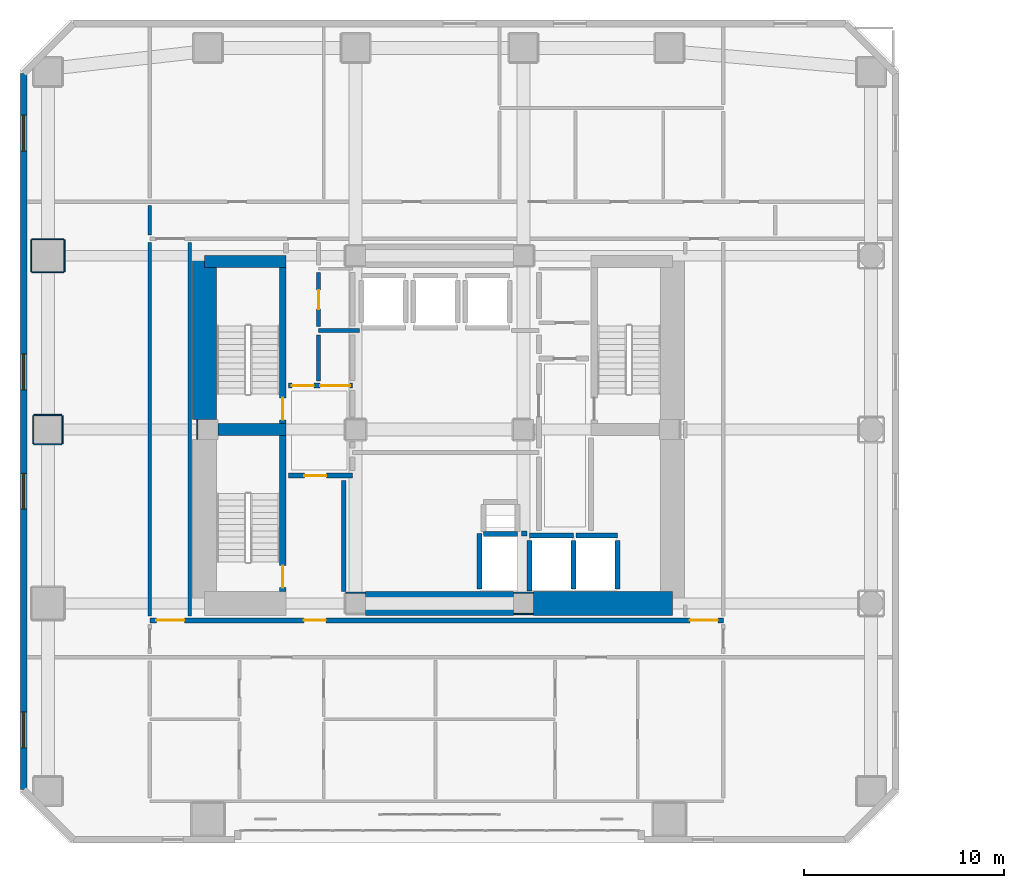
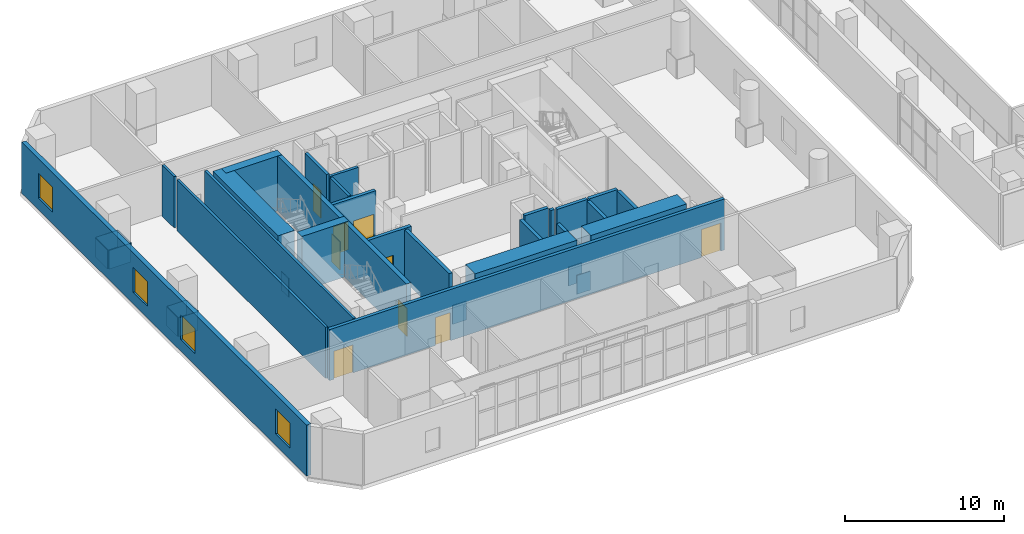
# One storey, part 16 of 24: 38 walls, 9 doors, 4 windows, 13 openings.
"""IFC4 building model written with IfcOpenShell, lengths in metres."""

from ifc_helpers import new_model, si_unit, direction, frame, frame_2d, origin, place, context, subcontext, project, spatial, rectangle, extrude, material, layer, layer_set, type_object, element, fill, save


model = new_model("IFC4")

# Units and contexts
model_context = context("Model", 3, precision=1e-05, world=origin(), true_north=direction((0.0, 1.0)))
body_context = subcontext(model_context, "Body", "Model", "MODEL_VIEW")
ifc_project = project(units=[si_unit("LENGTHUNIT", "METRE"), si_unit("AREAUNIT", "SQUARE_METRE"), si_unit("VOLUMEUNIT", "CUBIC_METRE"), si_unit("PLANEANGLEUNIT", "RADIAN"), si_unit("MASSUNIT", "GRAM", prefix="KILO")], contexts=[model_context])

# Site, building, storey
site_placement = place(None, origin())
site = spatial("IfcSite", under=ifc_project, at=site_placement, CompositionType="ELEMENT")
building_placement = place(site_placement, origin())
building = spatial("IfcBuilding", under=site, at=building_placement, Name="Solanera Arch Residences", CompositionType="ELEMENT")
storey_placement = place(building_placement, frame((0.0, 0.0, 5.199951171875)))
storey = spatial("IfcBuildingStorey", under=building, at=storey_placement, Name="L01", CompositionType="ELEMENT", Elevation=5.199951171875)

# Walls
ifc_material_1 = material(Name="Fire-Rated Gypsum Stud Partition", Category="gypsum")
ifc_layer_1 = layer(ifc_material_1, 0.06005859375)
ifc_layer_set_1 = layer_set([ifc_layer_1], Name="Fire-Rated Gypsum Stud Partition")
wall_type_1 = type_object("IfcWallType", Name="Column Acoustic Furring Wall 60", PredefinedType="PARTITIONING", material=ifc_layer_set_1)
wall_1_placement = place(storey_placement, frame((20.300048828125, 22.531982421875, 0.0), z_axis=(0.0, 0.0, 1.0), x_axis=(1.0, 0.0, 0.0)))
element("IfcWall", 1, at=wall_1_placement, inside=storey, type_object=wall_type_1, Name="L01 Column Furring 1N", PredefinedType="PARTITIONING", context=body_context, shape_type="SweptSolid", body=[
    extrude(rectangle(XDim=0.989990234375, YDim=0.06005859375, at=frame_2d((0.4951171875, 0.0))), origin(), (0.0, 0.0, 1.0), 1.449951171875),
])
for number, where, z_axis, x_axis, name in (
    (2, (28.7099609375, 21.468017578125, 0.0), (0.0, 0.0, 1.0), (1.0, 0.0, 0.0), "L01 Column Furring 2S"),
    (3, (28.7099609375, 22.531982421875, 0.0), (0.0, 0.0, 1.0), (1.0, 0.0, 0.0), "L01 Column Furring 2N"),
    (4, (12.867919921875, 30.2099609375, 0.0), (0.0, 0.0, 1.0), (0.0, 1.0, 0.0), "L01 Column Furring 5W"),
):
    element("IfcWall", number, at=place(storey_placement, frame(where, z_axis=z_axis, x_axis=x_axis)), inside=storey, type_object=wall_type_1, Name=name, PredefinedType="PARTITIONING", context=body_context, shape_type="SweptSolid", body=[
        extrude(rectangle(XDim=0.97998046875, YDim=0.06005859375, at=frame_2d((0.489990234375, 0.0))), origin(), (0.0, 0.0, 1.0), 1.449951171875),
    ])
for number, where, z_axis, x_axis, name in (
    (5, (4.699951171875, 29.968017578125, 0.0), (0.0, 0.0, 1.0), (1.0, 0.0, 0.0), "L01 Column Furring 16S"),
    (6, (4.699951171875, 31.431884765625, 0.0), (0.0, 0.0, 1.0), (1.0, 0.0, 0.0), "L01 Column Furring 16N"),
):
    element("IfcWall", number, at=place(storey_placement, frame(where, z_axis=z_axis, x_axis=x_axis)), inside=storey, type_object=wall_type_1, Name=name, PredefinedType="PARTITIONING", context=body_context, shape_type="SweptSolid", body=[
        extrude(rectangle(XDim=1.400146484375, YDim=0.06005859375, at=frame_2d((0.7001953125, 0.0))), origin(), (0.0, 0.0, 1.0), 1.449951171875),
    ])
for number, where, z_axis, x_axis, name in (
    (7, (4.66796875, 30.0, 0.0), (0.0, 0.0, 1.0), (0.0, 1.0, 0.0), "L01 Column Furring 16W"),
    (8, (6.132080078125, 30.0, 0.0), (0.0, 0.0, 1.0), (0.0, 1.0, 0.0), "L01 Column Furring 16E"),
):
    element("IfcWall", number, at=place(storey_placement, frame(where, z_axis=z_axis, x_axis=x_axis)), inside=storey, type_object=wall_type_1, Name=name, PredefinedType="PARTITIONING", context=body_context, shape_type="SweptSolid", body=[
        extrude(rectangle(XDim=1.39990234375, YDim=0.06005859375, at=frame_2d((0.699951171875, 0.0))), origin(), (0.0, 0.0, 1.0), 1.449951171875),
    ])
for number, where, z_axis, x_axis, name in (
    (9, (4.60009765625, 38.568115234375, 0.0), (0.0, 0.0, 1.0), (1.0, 0.0, 0.0), "L01 Column Furring 17S"),
    (10, (4.60009765625, 40.23193359375, 0.0), (0.0, 0.0, 1.0), (1.0, 0.0, 0.0), "L01 Column Furring 17N"),
    (11, (4.568115234375, 38.60009765625, 0.0), (0.0, 0.0, 1.0), (0.0, 1.0, 0.0), "L01 Column Furring 17W"),
    (12, (6.23193359375, 38.60009765625, 0.0), (0.0, 0.0, 1.0), (0.0, 1.0, 0.0), "L01 Column Furring 17E"),
):
    element("IfcWall", number, at=place(storey_placement, frame(where, z_axis=z_axis, x_axis=x_axis)), inside=storey, type_object=wall_type_1, Name=name, PredefinedType="PARTITIONING", context=body_context, shape_type="SweptSolid", body=[
        extrude(rectangle(XDim=1.599853515625, YDim=0.06005859375, at=frame_2d((0.7998046875, 0.0))), origin(), (0.0, 0.0, 1.0), 1.449951171875),
    ])
ifc_material_2 = material(Name="Concrete C55/67 (f'c = 60 MPa)", Category="concrete")
ifc_layer_2 = layer(ifc_material_2, 1.199951171875)
ifc_layer_set_2 = layer_set([ifc_layer_2], Name="Concrete C55/67 (f'c = 60 MPa)")
wall_type_2 = type_object("IfcWallType", Name="Core Shear Wall CW-1200", PredefinedType="SHEAR", material=ifc_layer_set_2)
wall_2_placement = place(storey_placement, frame((13.239990234375, 31.205078125, 0.0), z_axis=(0.0, 0.0, 1.0), x_axis=(0.0, 1.0, 0.0)))
element("IfcWall", 13, at=wall_2_placement, inside=storey, type_object=wall_type_2, Name="L01 West Core North Shear Wall", PredefinedType="SHEAR", context=body_context, shape_type="SweptSolid", body=[
    extrude(rectangle(XDim=8.19482421875, YDim=1.199951171875, at=frame_2d((4.097412109375, 0.0))), origin(), (0.0, 0.0, 1.0), 4.199951171875),
])
wall_3_placement = place(storey_placement, frame((29.705078125, 22.0, 0.0), z_axis=(0.0, 0.0, 1.0), x_axis=(1.0, 0.0, 0.0)))
element("IfcWall", 14, at=wall_3_placement, inside=storey, type_object=wall_type_2, Name="L01 South-East Core Shear Wall", PredefinedType="SHEAR", context=body_context, shape_type="SweptSolid", body=[
    extrude(rectangle(XDim=6.954833984375, YDim=1.199951171875, at=frame_2d((3.4775390625, 0.0))), origin(), (0.0, 0.0, 1.0), 4.199951171875),
])
wall_4_placement = place(storey_placement, frame((21.304931640625, 22.0, 0.0), z_axis=(0.0, 0.0, 1.0), x_axis=(1.0, 0.0, 0.0)))
element("IfcWall", 15, at=wall_4_placement, inside=storey, type_object=wall_type_2, Name="L01 Central South Core Shear Wall", PredefinedType="SHEAR", context=body_context, shape_type="SweptSolid", body=[
    extrude(rectangle(XDim=7.39013671875, YDim=1.199951171875, at=frame_2d((3.695068359375, 0.0))), origin(), (0.0, 0.0, 1.0), 4.199951171875),
])

# Wall, opening, door
ifc_material_3 = material(Name="Concrete C40/50 (f'c = 45 MPa)", Category="concrete")
ifc_layer_3 = layer(ifc_material_3, 0.320068359375)
ifc_layer_set_3 = layer_set([ifc_layer_3], Name="Concrete C40/50 (f'c = 45 MPa)")
wall_type_3 = type_object("IfcWallType", Name="Core Shear Wall CW-320", PredefinedType="SHEAR", material=ifc_layer_set_3)
wall_5_placement = place(storey_placement, frame((17.159912109375, 31.0, 0.0), z_axis=(0.0, 0.0, 1.0), x_axis=(0.0, 1.0, 0.0)))
wall_5 = element("IfcWall", 16, at=wall_5_placement, inside=storey, type_object=wall_type_3, Name="L01 Stair ST-T1 East Shear Wall", PredefinedType="SHEAR", context=body_context, shape_type="SweptSolid", body=[
    extrude(rectangle(XDim=7.800048828125, YDim=0.320068359375, at=frame_2d((3.89990234375, 0.0))), origin(), (0.0, 0.0, 1.0), 4.199951171875),
])
opening_1_placement = place(wall_5_placement, frame((0.18994140625, 0.0, 0.0)))
opening_1 = element("IfcOpeningElement", 17, at=opening_1_placement, cuts=wall_5, Name="Opening DF-01", PredefinedType="OPENING", context=body_context, shape_type="SweptSolid", body=[
    extrude(rectangle(XDim=1.10009765625, YDim=2.14990234375, at=frame_2d((0.550048828125, 1.074951171875))), frame((0.0, 0.169921875, 0.0), z_axis=(0.0, -1.0, 0.0), x_axis=(1.0, 0.0, 0.0)), (0.0, 0.0, 1.0), 0.3401),
])
ifc_material_4 = material(Name="Fire-Rated Architectural Hardwood", Category="wood")
door_type_1 = type_object("IfcDoorType", Name="Stair Exit Fire Door DF-01", OperationType="NOTDEFINED", PredefinedType="DOOR", material=ifc_material_4)
door_1_placement = place(opening_1_placement, origin())
door_1 = element("IfcDoor", 18, at=door_1_placement, inside=storey, type_object=door_type_1, Name="DR-L01-STAIR-ST-T1", OperationType="SINGLE_SWING_RIGHT", OverallHeight=2.14990234375, OverallWidth=1.10009765625, PredefinedType="DOOR", context=body_context, shape_type="SweptSolid", body=[
    extrude(rectangle(XDim=1.10009765625, YDim=2.14990234375, at=frame_2d((0.550048828125, 1.074951171875))), frame((0.0, 0.02490234375, 0.0), z_axis=(0.0, -1.0, 0.0), x_axis=(1.0, 0.0, 0.0)), (0.0, 0.0, 1.0), 0.050048828125),
])
fill(opening_1, door_1)

wall_6_placement = place(storey_placement, frame((17.159912109375, 22.60009765625, 0.0), z_axis=(0.0, 0.0, 1.0), x_axis=(0.0, 1.0, 0.0)))
wall_6 = element("IfcWall", 19, at=wall_6_placement, inside=storey, type_object=wall_type_3, Name="L01 Stair ST-T3 East Shear Wall", PredefinedType="SHEAR", context=body_context, shape_type="SweptSolid", body=[
    extrude(rectangle(XDim=7.7998046875, YDim=0.320068359375, at=frame_2d((3.89990234375, 0.0))), origin(), (0.0, 0.0, 1.0), 4.199951171875),
])
opening_2_placement = place(wall_6_placement, frame((0.18994140625, 0.0, 0.0)))
opening_2 = element("IfcOpeningElement", 20, at=opening_2_placement, cuts=wall_6, Name="Opening DF-01", PredefinedType="OPENING", context=body_context, shape_type="SweptSolid", body=[
    extrude(rectangle(XDim=1.10009765625, YDim=2.14990234375, at=frame_2d((0.550048828125, 1.074951171875))), frame((0.0, 0.169921875, 0.0), z_axis=(0.0, -1.0, 0.0), x_axis=(1.0, 0.0, 0.0)), (0.0, 0.0, 1.0), 0.3401),
])
door_2_placement = place(opening_2_placement, origin())
door_2 = element("IfcDoor", 21, at=door_2_placement, inside=storey, type_object=door_type_1, Name="DR-L01-STAIR-ST-T3", OperationType="SINGLE_SWING_RIGHT", OverallHeight=2.14990234375, OverallWidth=1.10009765625, PredefinedType="DOOR", context=body_context, shape_type="SweptSolid", body=[
    extrude(rectangle(XDim=1.10009765625, YDim=2.14990234375, at=frame_2d((0.550048828125, 1.074951171875))), frame((0.0, 0.02490234375, 0.0), z_axis=(0.0, -1.0, 0.0), x_axis=(1.0, 0.0, 0.0)), (0.0, 0.0, 1.0), 0.050048828125),
])
fill(opening_2, door_2)

# Walls
ifc_material_5 = material(Name="Concrete C40/50 (f'c = 45 MPa)", Category="concrete")
ifc_layer_4 = layer(ifc_material_5, 0.60009765625)
ifc_layer_set_4 = layer_set([ifc_layer_4], Name="Concrete C40/50 (f'c = 45 MPa)")
wall_type_4 = type_object("IfcWallType", Name="Core Shear Wall CW-600", PredefinedType="SHEAR", material=ifc_layer_set_4)
wall_7_placement = place(storey_placement, frame((13.239990234375, 39.10009765625, 0.0), z_axis=(0.0, 0.0, 1.0), x_axis=(1.0, 0.0, 0.0)))
element("IfcWall", 22, at=wall_7_placement, inside=storey, type_object=wall_type_4, Name="L01 North-West Core Shear Wall", PredefinedType="SHEAR", context=body_context, shape_type="SweptSolid", body=[
    extrude(rectangle(XDim=4.080078125, YDim=0.60009765625, at=frame_2d((2.0400390625, 0.0))), origin(), (0.0, 0.0, 1.0), 4.199951171875),
])
wall_8_placement = place(storey_placement, frame((13.905029296875, 30.699951171875, 0.0), z_axis=(0.0, 0.0, 1.0), x_axis=(1.0, 0.0, 0.0)))
element("IfcWall", 23, at=wall_8_placement, inside=storey, type_object=wall_type_4, Name="L01 West Stair Divider Shear Wall", PredefinedType="SHEAR", context=body_context, shape_type="SweptSolid", body=[
    extrude(rectangle(XDim=3.4150390625, YDim=0.60009765625, at=frame_2d((1.70751953125, 0.0))), origin(), (0.0, 0.0, 1.0), 4.199951171875),
])
ifc_material_6 = material(Name="Autoclaved Aerated Concrete Blockwork", Category="masonry")
ifc_layer_5 = layer(ifc_material_6, 0.179931640625)
ifc_layer_set_5 = layer_set([ifc_layer_5], Name="Autoclaved Aerated Concrete Blockwork")
wall_type_5 = type_object("IfcWallType", Name="Corridor Fire Partition 180", PredefinedType="PARTITIONING", material=ifc_layer_set_5)
wall_9_placement = place(storey_placement, frame((10.5, 21.367919921875, 0.0), z_axis=(0.0, 0.0, 1.0), x_axis=(0.0, 1.0, 0.0)))
element("IfcWall", 24, at=wall_9_placement, inside=storey, type_object=wall_type_5, Name="L01 Interior Partition V7 4", PredefinedType="PARTITIONING", context=body_context, shape_type="SweptSolid", body=[
    extrude(rectangle(XDim=18.694091796875, YDim=0.179931640625, at=frame_2d((9.34716796875, 0.0))), origin(), (0.0, 0.0, 1.0), 3.920166015625),
])
wall_10_placement = place(storey_placement, frame((10.5, 40.43798828125, 0.0), z_axis=(0.0, 0.0, 1.0), x_axis=(0.0, 1.0, 0.0)))
element("IfcWall", 25, at=wall_10_placement, inside=storey, type_object=wall_type_5, Name="L01 Interior Partition V7 5", PredefinedType="PARTITIONING", context=body_context, shape_type="SweptSolid", body=[
    extrude(rectangle(XDim=1.47412109375, YDim=0.179931640625, at=frame_2d((0.737060546875, 0.0))), origin(), (0.0, 0.0, 1.0), 3.920166015625),
])
wall_11_placement = place(storey_placement, frame((12.5, 21.367919921875, 0.0), z_axis=(0.0, 0.0, 1.0), x_axis=(0.0, 1.0, 0.0)))
element("IfcWall", 26, at=wall_11_placement, inside=storey, type_object=wall_type_5, Name="L01 Interior Partition V8", PredefinedType="PARTITIONING", context=body_context, shape_type="SweptSolid", body=[
    extrude(rectangle(XDim=18.694091796875, YDim=0.179931640625, at=frame_2d((9.34716796875, 0.0))), origin(), (0.0, 0.0, 1.0), 3.920166015625),
])

# Wall, openings, windows
ifc_material_7 = material(Name="Precast Concrete C35/45", Category="concrete")
ifc_layer_6 = layer(ifc_material_7, 0.320068359375)
ifc_layer_set_6 = layer_set([ifc_layer_6], Name="Precast Concrete C35/45")
wall_type_6 = type_object("IfcWallType", Name="Exterior Wall Precast Masonry-Frame 320", PredefinedType="STANDARD", material=ifc_layer_set_6)
wall_12_placement = place(storey_placement, frame((4.179931640625, 12.679931640625, 0.0), z_axis=(0.0, 0.0, 1.0), x_axis=(0.0, 1.0, 0.0)))
wall_12 = element("IfcWall", 27, at=wall_12_placement, inside=storey, type_object=wall_type_6, Name="L01 Podium Precast Masonry-Frame Wall 1", PredefinedType="STANDARD", context=body_context, shape_type="SweptSolid", body=[
    extrude(rectangle(XDim=35.840087890625, YDim=0.320068359375, at=frame_2d((17.919921875, 0.0))), origin(), (0.0, 0.0, 1.0), 3.920166015625),
])
opening_3_placement = place(wall_12_placement, frame((2.0869140625, 0.0, 0.89990234375)))
opening_3 = element("IfcOpeningElement", 28, at=opening_3_placement, cuts=wall_12, Name="Opening W-03", PredefinedType="OPENING", context=body_context, shape_type="SweptSolid", body=[
    extrude(rectangle(XDim=1.800048828125, YDim=1.89990234375, at=frame_2d((0.89990234375, 0.949951171875))), frame((0.0, 0.169921875, 0.0), z_axis=(0.0, -1.0, 0.0), x_axis=(1.0, 0.0, 0.0)), (0.0, 0.0, 1.0), 0.3401),
])
opening_4_placement = place(wall_12_placement, frame((14.032958984375, 0.0, 0.89990234375)))
opening_4 = element("IfcOpeningElement", 29, at=opening_4_placement, cuts=wall_12, Name="Opening W-03", PredefinedType="OPENING", context=body_context, shape_type="SweptSolid", body=[
    extrude(rectangle(XDim=1.800048828125, YDim=1.89990234375, at=frame_2d((0.89990234375, 0.949951171875))), frame((0.0, 0.169921875, 0.0), z_axis=(0.0, -1.0, 0.0), x_axis=(1.0, 0.0, 0.0)), (0.0, 0.0, 1.0), 0.3401),
])
opening_5_placement = place(wall_12_placement, frame((20.007080078125, 0.0, 0.89990234375)))
opening_5 = element("IfcOpeningElement", 30, at=opening_5_placement, cuts=wall_12, Name="Opening W-03", PredefinedType="OPENING", context=body_context, shape_type="SweptSolid", body=[
    extrude(rectangle(XDim=1.800048828125, YDim=1.89990234375, at=frame_2d((0.89990234375, 0.949951171875))), frame((0.0, 0.169921875, 0.0), z_axis=(0.0, -1.0, 0.0), x_axis=(1.0, 0.0, 0.0)), (0.0, 0.0, 1.0), 0.3401),
])
opening_6_placement = place(wall_12_placement, frame((31.952880859375, 0.0, 0.89990234375)))
opening_6 = element("IfcOpeningElement", 31, at=opening_6_placement, cuts=wall_12, Name="Opening W-03", PredefinedType="OPENING", context=body_context, shape_type="SweptSolid", body=[
    extrude(rectangle(XDim=1.800048828125, YDim=1.89990234375, at=frame_2d((0.89990234375, 0.949951171875))), frame((0.0, 0.169921875, 0.0), z_axis=(0.0, -1.0, 0.0), x_axis=(1.0, 0.0, 0.0)), (0.0, 0.0, 1.0), 0.3401),
])
ifc_material_8 = material(Name="Double Glazed Low-E Laminated Glass", Category="glass")
window_type = type_object("IfcWindowType", Name="Punched Window W-03", PartitioningType="DOUBLE_PANEL_VERTICAL", PredefinedType="WINDOW", material=ifc_material_8)
window_1_placement = place(opening_3_placement, origin())
window_1 = element("IfcWindow", 32, at=window_1_placement, inside=storey, type_object=window_type, Name="L01 Podium Window 1.1", OverallHeight=1.89990234375, OverallWidth=1.800048828125, PartitioningType="SINGLE_PANEL", PredefinedType="WINDOW", context=body_context, shape_type="SweptSolid", body=[
    extrude(rectangle(XDim=1.800048828125, YDim=1.89990234375, at=frame_2d((0.89990234375, 0.949951171875))), frame((0.0, 0.030029296875, 0.0), z_axis=(0.0, -1.0, 0.0), x_axis=(1.0, 0.0, 0.0)), (0.0, 0.0, 1.0), 0.06005859375),
])
fill(opening_3, window_1)
window_2_placement = place(opening_4_placement, origin())
window_2 = element("IfcWindow", 33, at=window_2_placement, inside=storey, type_object=window_type, Name="L01 Podium Window 1.3", OverallHeight=1.89990234375, OverallWidth=1.800048828125, PartitioningType="SINGLE_PANEL", PredefinedType="WINDOW", context=body_context, shape_type="SweptSolid", body=[
    extrude(rectangle(XDim=1.800048828125, YDim=1.89990234375, at=frame_2d((0.89990234375, 0.949951171875))), frame((0.0, 0.030029296875, 0.0), z_axis=(0.0, -1.0, 0.0), x_axis=(1.0, 0.0, 0.0)), (0.0, 0.0, 1.0), 0.06005859375),
])
fill(opening_4, window_2)
window_3_placement = place(opening_5_placement, origin())
window_3 = element("IfcWindow", 34, at=window_3_placement, inside=storey, type_object=window_type, Name="L01 Podium Window 1.4", OverallHeight=1.89990234375, OverallWidth=1.800048828125, PartitioningType="SINGLE_PANEL", PredefinedType="WINDOW", context=body_context, shape_type="SweptSolid", body=[
    extrude(rectangle(XDim=1.800048828125, YDim=1.89990234375, at=frame_2d((0.89990234375, 0.949951171875))), frame((0.0, 0.030029296875, 0.0), z_axis=(0.0, -1.0, 0.0), x_axis=(1.0, 0.0, 0.0)), (0.0, 0.0, 1.0), 0.06005859375),
])
fill(opening_5, window_3)
window_4_placement = place(opening_6_placement, origin())
window_4 = element("IfcWindow", 35, at=window_4_placement, inside=storey, type_object=window_type, Name="L01 Podium Window 1.6", OverallHeight=1.89990234375, OverallWidth=1.800048828125, PartitioningType="SINGLE_PANEL", PredefinedType="WINDOW", context=body_context, shape_type="SweptSolid", body=[
    extrude(rectangle(XDim=1.800048828125, YDim=1.89990234375, at=frame_2d((0.89990234375, 0.949951171875))), frame((0.0, 0.030029296875, 0.0), z_axis=(0.0, -1.0, 0.0), x_axis=(1.0, 0.0, 0.0)), (0.0, 0.0, 1.0), 0.06005859375),
])
fill(opening_6, window_4)

# Walls
ifc_material_9 = material(Name="Autoclaved Aerated Concrete Blockwork", Category="masonry")
ifc_layer_7 = layer(ifc_material_9, 0.199951171875)
ifc_layer_set_7 = layer_set([ifc_layer_7], Name="Autoclaved Aerated Concrete Blockwork")
wall_type_7 = type_object("IfcWallType", Name="Party Wall Acoustic 200", PredefinedType="PARTITIONING", material=ifc_layer_set_7)
wall_13_placement = place(storey_placement, frame((18.949951171875, 35.64990234375, 0.0), z_axis=(0.0, 0.0, 1.0), x_axis=(1.0, 0.0, 0.0)))
element("IfcWall", 36, at=wall_13_placement, inside=storey, type_object=wall_type_7, Name="L01 Interior Partition H6 1", PredefinedType="PARTITIONING", context=body_context, shape_type="SweptSolid", body=[
    extrude(rectangle(XDim=2.046142578125, YDim=0.199951171875, at=frame_2d((1.02294921875, 0.0))), origin(), (0.0, 0.0, 1.0), 3.920166015625),
])
wall_14_placement = place(storey_placement, frame((18.949951171875, 33.1279296875, 0.0), z_axis=(0.0, 0.0, 1.0), x_axis=(0.0, 1.0, 0.0)))
element("IfcWall", 37, at=wall_14_placement, inside=storey, type_object=wall_type_7, Name="L01 Interior Partition V6 1", PredefinedType="PARTITIONING", context=body_context, shape_type="SweptSolid", body=[
    extrude(rectangle(XDim=2.31396484375, YDim=0.199951171875, at=frame_2d((1.156982421875, 0.0))), origin(), (0.0, 0.0, 1.0), 3.920166015625),
])

# Wall, opening, door
wall_15_placement = place(storey_placement, frame((18.949951171875, 35.85791015625, 0.0), z_axis=(0.0, 0.0, 1.0), x_axis=(0.0, 1.0, 0.0)))
wall_15 = element("IfcWall", 38, at=wall_15_placement, inside=storey, type_object=wall_type_7, Name="L01 Interior Partition V6 2", PredefinedType="PARTITIONING", context=body_context, shape_type="SweptSolid", body=[
    extrude(rectangle(XDim=2.714111328125, YDim=0.199951171875, at=frame_2d((1.35693359375, 0.0))), origin(), (0.0, 0.0, 1.0), 3.920166015625),
])
opening_7_placement = place(wall_15_placement, frame((0.866943359375, 0.0, 0.0)))
opening_7 = element("IfcOpeningElement", 39, at=opening_7_placement, cuts=wall_15, Name="Opening DI-04", PredefinedType="OPENING", context=body_context, shape_type="SweptSolid", body=[
    extrude(rectangle(XDim=0.949951171875, YDim=2.10009765625, at=frame_2d((0.47509765625, 1.050048828125))), frame((0.0, 0.110107421875, 0.0), z_axis=(0.0, -1.0, 0.0), x_axis=(1.0, 0.0, 0.0)), (0.0, 0.0, 1.0), 0.22),
])
ifc_material_10 = material(Name="Fire-Rated Architectural Hardwood", Category="wood")
door_type_2 = type_object("IfcDoorType", Name="Accessible Restroom Door DI-04", OperationType="NOTDEFINED", PredefinedType="DOOR", material=ifc_material_10)
door_3_placement = place(opening_7_placement, origin())
door_3 = element("IfcDoor", 40, at=door_3_placement, inside=storey, type_object=door_type_2, Name="DR-L01-IN-025", OperationType="SINGLE_SWING_RIGHT", OverallHeight=2.10009765625, OverallWidth=0.949951171875, PredefinedType="DOOR", context=body_context, shape_type="SweptSolid", body=[
    extrude(rectangle(XDim=0.949951171875, YDim=2.10009765625, at=frame_2d((0.47509765625, 1.050048828125))), frame((0.0, 0.02490234375, 0.0), z_axis=(0.0, -1.0, 0.0), x_axis=(1.0, 0.0, 0.0)), (0.0, 0.0, 1.0), 0.050048828125),
])
fill(opening_7, door_3)

# Walls
ifc_material_11 = material(Name="Concrete C40/50 (f'c = 45 MPa)", Category="concrete")
ifc_layer_8 = layer(ifc_material_11, 0.239990234375)
ifc_layer_set_8 = layer_set([ifc_layer_8], Name="Concrete C40/50 (f'c = 45 MPa)")
wall_type_8 = type_object("IfcWallType", Name="Ramp Bearing Shear Wall RW-240", PredefinedType="SHEAR", material=ifc_layer_set_8)
wall_16_placement = place(storey_placement, frame((27.199951171875, 25.47998046875, 0.0), z_axis=(0.0, 0.0, 1.0), x_axis=(1.0, 0.0, 0.0)))
element("IfcWall", 41, at=wall_16_placement, inside=storey, type_object=wall_type_8, Name="L01 Core MEP Riser South Shaft Wall", PredefinedType="SHEAR", context=body_context, shape_type="SweptSolid", body=[
    extrude(rectangle(XDim=1.699951171875, YDim=0.239990234375, at=frame_2d((0.85009765625, 0.0))), origin(), (0.0, 0.0, 1.0), 4.199951171875),
])
ifc_material_12 = material(Name="Autoclaved Aerated Concrete Blockwork", Category="masonry")
ifc_layer_9 = layer(ifc_material_12, 0.239990234375)
ifc_layer_set_9 = layer_set([ifc_layer_9], Name="Autoclaved Aerated Concrete Blockwork")
wall_type_9 = type_object("IfcWallType", Name="Shaft Wall Fire-Rated 240", PredefinedType="PARTITIONING", material=ifc_layer_set_9)
wall_17_placement = place(storey_placement, frame((29.5, 25.39990234375, 0.0), z_axis=(0.0, 0.0, 1.0), x_axis=(1.0, 0.0, 0.0)))
element("IfcWall", 42, at=wall_17_placement, inside=storey, type_object=wall_type_9, Name="L01 Lift FFL-1 Hoistway Wall N", PredefinedType="PARTITIONING", context=body_context, shape_type="SweptSolid", body=[
    extrude(rectangle(XDim=2.199951171875, YDim=0.239990234375, at=frame_2d((1.10009765625, 0.0))), origin(), (0.0, 0.0, 1.0), 3.920166015625),
])
wall_18_placement = place(storey_placement, frame((29.5, 22.632080078125, 0.0), z_axis=(0.0, 0.0, 1.0), x_axis=(0.0, 1.0, 0.0)))
element("IfcWall", 43, at=wall_18_placement, inside=storey, type_object=wall_type_9, Name="L01 Lift FFL-1 Hoistway Wall W", PredefinedType="PARTITIONING", context=body_context, shape_type="SweptSolid", body=[
    extrude(rectangle(XDim=2.52001953125, YDim=0.239990234375, at=frame_2d((1.260009765625, 0.0))), origin(), (0.0, 0.0, 1.0), 2.955078125),
])
wall_19_placement = place(storey_placement, frame((31.699951171875, 22.72998046875, 0.0), z_axis=(0.0, 0.0, 1.0), x_axis=(0.0, 1.0, 0.0)))
element("IfcWall", 44, at=wall_19_placement, inside=storey, type_object=wall_type_9, Name="L01 Lift FFL-1 Hoistway Wall E", PredefinedType="PARTITIONING", context=body_context, shape_type="SweptSolid", body=[
    extrude(rectangle(XDim=2.422119140625, YDim=0.239990234375, at=frame_2d((1.2109375, 0.0))), origin(), (0.0, 0.0, 1.0), 3.920166015625),
])
wall_20_placement = place(storey_placement, frame((31.827880859375, 25.39990234375, 0.0), z_axis=(0.0, 0.0, 1.0), x_axis=(1.0, 0.0, 0.0)))
element("IfcWall", 45, at=wall_20_placement, inside=storey, type_object=wall_type_9, Name="L01 Lift FFL-2 Hoistway Wall N", PredefinedType="PARTITIONING", context=body_context, shape_type="SweptSolid", body=[
    extrude(rectangle(XDim=2.072021484375, YDim=0.239990234375, at=frame_2d((1.0361328125, 0.0))), origin(), (0.0, 0.0, 1.0), 3.920166015625),
])
wall_21_placement = place(storey_placement, frame((33.89990234375, 22.72998046875, 0.0), z_axis=(0.0, 0.0, 1.0), x_axis=(0.0, 1.0, 0.0)))
element("IfcWall", 46, at=wall_21_placement, inside=storey, type_object=wall_type_9, Name="L01 Lift FFL-2 Hoistway Wall E", PredefinedType="PARTITIONING", context=body_context, shape_type="SweptSolid", body=[
    extrude(rectangle(XDim=2.422119140625, YDim=0.239990234375, at=frame_2d((1.2109375, 0.0))), origin(), (0.0, 0.0, 1.0), 3.920166015625),
])
wall_22_placement = place(storey_placement, frame((29.10302734375, 25.5, 0.0), z_axis=(0.0, 0.0, 1.0), x_axis=(1.0, 0.0, 0.0)))
element("IfcWall", 47, at=wall_22_placement, inside=storey, type_object=wall_type_9, Name="L01 Lift SVL-1 Hoistway Wall N", PredefinedType="PARTITIONING", context=body_context, shape_type="SweptSolid", body=[
    extrude(rectangle(XDim=0.26904296875, YDim=0.239990234375, at=frame_2d((0.134521484375, 0.0))), origin(), (0.0, 0.0, 1.0), 3.920166015625),
])
wall_23_placement = place(storey_placement, frame((27.0, 22.72998046875, 0.0), z_axis=(0.0, 0.0, 1.0), x_axis=(0.0, 1.0, 0.0)))
element("IfcWall", 48, at=wall_23_placement, inside=storey, type_object=wall_type_9, Name="L01 Lift SVL-1 Hoistway Wall W", PredefinedType="PARTITIONING", context=body_context, shape_type="SweptSolid", body=[
    extrude(rectangle(XDim=2.76806640625, YDim=0.239990234375, at=frame_2d((1.384033203125, 0.0))), origin(), (0.0, 0.0, 1.0), 3.920166015625),
])

# Wall, openings, doors
wall_24_placement = place(storey_placement, frame((10.5, 21.14990234375, 0.0), z_axis=(0.0, 0.0, 1.0), x_axis=(1.0, 0.0, 0.0)))
wall_24 = element("IfcWall", 49, at=wall_24_placement, inside=storey, type_object=wall_type_9, Name="L01 Interior Partition H1", PredefinedType="PARTITIONING", context=body_context, shape_type="SweptSolid", body=[
    extrude(rectangle(XDim=28.699951171875, YDim=0.239990234375, at=frame_2d((14.35009765625, 0.0))), origin(), (0.0, 0.0, 1.0), 3.920166015625),
])
opening_8_placement = place(wall_24_placement, frame((7.7099609375, 0.0, 0.0)))
opening_8 = element("IfcOpeningElement", 50, at=opening_8_placement, cuts=wall_24, Name="Opening DF-02", PredefinedType="OPENING", context=body_context, shape_type="SweptSolid", body=[
    extrude(rectangle(XDim=1.10009765625, YDim=2.14990234375, at=frame_2d((0.550048828125, 1.074951171875))), frame((0.0, 0.1298828125, 0.0), z_axis=(0.0, -1.0, 0.0), x_axis=(1.0, 0.0, 0.0)), (0.0, 0.0, 1.0), 0.26),
])
opening_9_placement = place(wall_24_placement, frame((0.323974609375, 0.0, 0.0)))
opening_9 = element("IfcOpeningElement", 51, at=opening_9_placement, cuts=wall_24, Name="Opening DF-03", PredefinedType="OPENING", context=body_context, shape_type="SweptSolid", body=[
    extrude(rectangle(XDim=1.39990234375, YDim=2.14990234375, at=frame_2d((0.699951171875, 1.074951171875))), frame((0.0, 0.1298828125, 0.0), z_axis=(0.0, -1.0, 0.0), x_axis=(1.0, 0.0, 0.0)), (0.0, 0.0, 1.0), 0.26),
])
opening_10_placement = place(wall_24_placement, frame((27.02587890625, 0.0, 0.0)))
opening_10 = element("IfcOpeningElement", 52, at=opening_10_placement, cuts=wall_24, Name="Opening DF-03", PredefinedType="OPENING", context=body_context, shape_type="SweptSolid", body=[
    extrude(rectangle(XDim=1.39990234375, YDim=2.14990234375, at=frame_2d((0.699951171875, 1.074951171875))), frame((0.0, 0.1298828125, 0.0), z_axis=(0.0, -1.0, 0.0), x_axis=(1.0, 0.0, 0.0)), (0.0, 0.0, 1.0), 0.26),
])
ifc_material_13 = material(Name="Fire-Rated Architectural Hardwood", Category="wood")
door_type_3 = type_object("IfcDoorType", Name="Corridor Smoke Door DF-03", OperationType="NOTDEFINED", PredefinedType="DOOR", material=ifc_material_13)
door_4_placement = place(opening_9_placement, origin())
door_4 = element("IfcDoor", 53, at=door_4_placement, inside=storey, type_object=door_type_3, Name="DR-L01-IN-014", OperationType="SINGLE_SWING_LEFT", OverallHeight=2.14990234375, OverallWidth=1.39990234375, PredefinedType="DOOR", context=body_context, shape_type="SweptSolid", body=[
    extrude(rectangle(XDim=1.39990234375, YDim=2.14990234375, at=frame_2d((0.699951171875, 1.074951171875))), frame((0.0, 0.02490234375, 0.0), z_axis=(0.0, -1.0, 0.0), x_axis=(1.0, 0.0, 0.0)), (0.0, 0.0, 1.0), 0.050048828125),
])
fill(opening_9, door_4)
door_5_placement = place(opening_10_placement, origin())
door_5 = element("IfcDoor", 54, at=door_5_placement, inside=storey, type_object=door_type_3, Name="DR-L01-IN-015", OperationType="SINGLE_SWING_RIGHT", OverallHeight=2.14990234375, OverallWidth=1.39990234375, PredefinedType="DOOR", context=body_context, shape_type="SweptSolid", body=[
    extrude(rectangle(XDim=1.39990234375, YDim=2.14990234375, at=frame_2d((0.699951171875, 1.074951171875))), frame((0.0, 0.02490234375, 0.0), z_axis=(0.0, -1.0, 0.0), x_axis=(1.0, 0.0, 0.0)), (0.0, 0.0, 1.0), 0.050048828125),
])
fill(opening_10, door_5)
ifc_material_14 = material(Name="Fire-Rated Architectural Hardwood", Category="wood")
door_type_4 = type_object("IfcDoorType", Name="Firefighting Lobby Fire Door DF-02", OperationType="NOTDEFINED", PredefinedType="DOOR", material=ifc_material_14)
door_6_placement = place(opening_8_placement, origin())
door_6 = element("IfcDoor", 55, at=door_6_placement, inside=storey, type_object=door_type_4, Name="DR-L01-IN-012", OperationType="SINGLE_SWING_LEFT", OverallHeight=2.14990234375, OverallWidth=1.10009765625, PredefinedType="DOOR", context=body_context, shape_type="SweptSolid", body=[
    extrude(rectangle(XDim=1.10009765625, YDim=2.14990234375, at=frame_2d((0.550048828125, 1.074951171875))), frame((0.0, 0.02490234375, 0.0), z_axis=(0.0, -1.0, 0.0), x_axis=(1.0, 0.0, 0.0)), (0.0, 0.0, 1.0), 0.050048828125),
])
fill(opening_8, door_6)

# Wall, opening, door
wall_25_placement = place(storey_placement, frame((17.449951171875, 28.39990234375, 0.0), z_axis=(0.0, 0.0, 1.0), x_axis=(1.0, 0.0, 0.0)))
wall_25 = element("IfcWall", 56, at=wall_25_placement, inside=storey, type_object=wall_type_9, Name="L01 Interior Partition H3", PredefinedType="PARTITIONING", context=body_context, shape_type="SweptSolid", body=[
    extrude(rectangle(XDim=3.199951171875, YDim=0.239990234375, at=frame_2d((1.60009765625, 0.0))), origin(), (0.0, 0.0, 1.0), 3.920166015625),
])
opening_11_placement = place(wall_25_placement, frame((0.783935546875, 0.0, 0.0)))
opening_11 = element("IfcOpeningElement", 57, at=opening_11_placement, cuts=wall_25, Name="Opening DF-02", PredefinedType="OPENING", context=body_context, shape_type="SweptSolid", body=[
    extrude(rectangle(XDim=1.10009765625, YDim=2.14990234375, at=frame_2d((0.550048828125, 1.074951171875))), frame((0.0, 0.1298828125, 0.0), z_axis=(0.0, -1.0, 0.0), x_axis=(1.0, 0.0, 0.0)), (0.0, 0.0, 1.0), 0.26),
])
door_7_placement = place(opening_11_placement, origin())
door_7 = element("IfcDoor", 58, at=door_7_placement, inside=storey, type_object=door_type_4, Name="DR-L01-IN-008", OperationType="SINGLE_SWING_LEFT", OverallHeight=2.14990234375, OverallWidth=1.10009765625, PredefinedType="DOOR", context=body_context, shape_type="SweptSolid", body=[
    extrude(rectangle(XDim=1.10009765625, YDim=2.14990234375, at=frame_2d((0.550048828125, 1.074951171875))), frame((0.0, 0.02490234375, 0.0), z_axis=(0.0, -1.0, 0.0), x_axis=(1.0, 0.0, 0.0)), (0.0, 0.0, 1.0), 0.050048828125),
])
fill(opening_11, door_7)

# Wall, openings, doors
wall_26_placement = place(storey_placement, frame((17.449951171875, 32.89990234375, 0.0), z_axis=(0.0, 0.0, 1.0), x_axis=(1.0, 0.0, 0.0)))
wall_26 = element("IfcWall", 59, at=wall_26_placement, inside=storey, type_object=wall_type_9, Name="L01 Interior Partition H4", PredefinedType="PARTITIONING", context=body_context, shape_type="SweptSolid", body=[
    extrude(rectangle(XDim=3.199951171875, YDim=0.239990234375, at=frame_2d((1.60009765625, 0.0))), origin(), (0.0, 0.0, 1.0), 3.920166015625),
])
opening_12_placement = place(wall_26_placement, frame((0.158935546875, 0.0, 0.0)))
opening_12 = element("IfcOpeningElement", 60, at=opening_12_placement, cuts=wall_26, Name="Opening DF-02", PredefinedType="OPENING", context=body_context, shape_type="SweptSolid", body=[
    extrude(rectangle(XDim=1.10009765625, YDim=2.14990234375, at=frame_2d((0.550048828125, 1.074951171875))), frame((0.0, 0.1298828125, 0.0), z_axis=(0.0, -1.0, 0.0), x_axis=(1.0, 0.0, 0.0)), (0.0, 0.0, 1.0), 0.26),
])
opening_13_placement = place(wall_26_placement, frame((1.575927734375, 0.0, 0.0)))
opening_13 = element("IfcOpeningElement", 61, at=opening_13_placement, cuts=wall_26, Name="Opening DP-01", PredefinedType="OPENING", context=body_context, shape_type="SweptSolid", body=[
    extrude(rectangle(XDim=1.5, YDim=2.14990234375, at=frame_2d((0.75, 1.074951171875))), frame((0.0, 0.1298828125, 0.0), z_axis=(0.0, -1.0, 0.0), x_axis=(1.0, 0.0, 0.0)), (0.0, 0.0, 1.0), 0.26),
])
door_8_placement = place(opening_12_placement, origin())
door_8 = element("IfcDoor", 62, at=door_8_placement, inside=storey, type_object=door_type_4, Name="DR-L01-IN-009", OperationType="SINGLE_SWING_RIGHT", OverallHeight=2.14990234375, OverallWidth=1.10009765625, PredefinedType="DOOR", context=body_context, shape_type="SweptSolid", body=[
    extrude(rectangle(XDim=1.10009765625, YDim=2.14990234375, at=frame_2d((0.550048828125, 1.074951171875))), frame((0.0, 0.02490234375, 0.0), z_axis=(0.0, -1.0, 0.0), x_axis=(1.0, 0.0, 0.0)), (0.0, 0.0, 1.0), 0.050048828125),
])
fill(opening_12, door_8)
ifc_material_15 = material(Name="Fire-Rated Architectural Hardwood", Category="wood")
door_type_5 = type_object("IfcDoorType", Name="Plant Double Fire Door DP-01", OperationType="NOTDEFINED", PredefinedType="DOOR", material=ifc_material_15)
door_9_placement = place(opening_13_placement, origin())
door_9 = element("IfcDoor", 63, at=door_9_placement, inside=storey, type_object=door_type_5, Name="DR-L01-IN-023", OperationType="SINGLE_SWING_RIGHT", OverallHeight=2.14990234375, OverallWidth=1.5, PredefinedType="DOOR", context=body_context, shape_type="SweptSolid", body=[
    extrude(rectangle(XDim=1.5, YDim=2.14990234375, at=frame_2d((0.75, 1.074951171875))), frame((0.0, 0.02490234375, 0.0), z_axis=(0.0, -1.0, 0.0), x_axis=(1.0, 0.0, 0.0)), (0.0, 0.0, 1.0), 0.050048828125),
])
fill(opening_13, door_9)

# Wall
wall_27_placement = place(storey_placement, frame((20.199951171875, 22.5859375, 0.0), z_axis=(0.0, 0.0, 1.0), x_axis=(0.0, 1.0, 0.0)))
element("IfcWall", 64, at=wall_27_placement, inside=storey, type_object=wall_type_9, Name="L01 Interior Partition V2", PredefinedType="PARTITIONING", context=body_context, shape_type="SweptSolid", body=[
    extrude(rectangle(XDim=5.566162109375, YDim=0.239990234375, at=frame_2d((2.783203125, 0.0))), origin(), (0.0, 0.0, 1.0), 3.920166015625),
])

save(model, "model.ifc")
